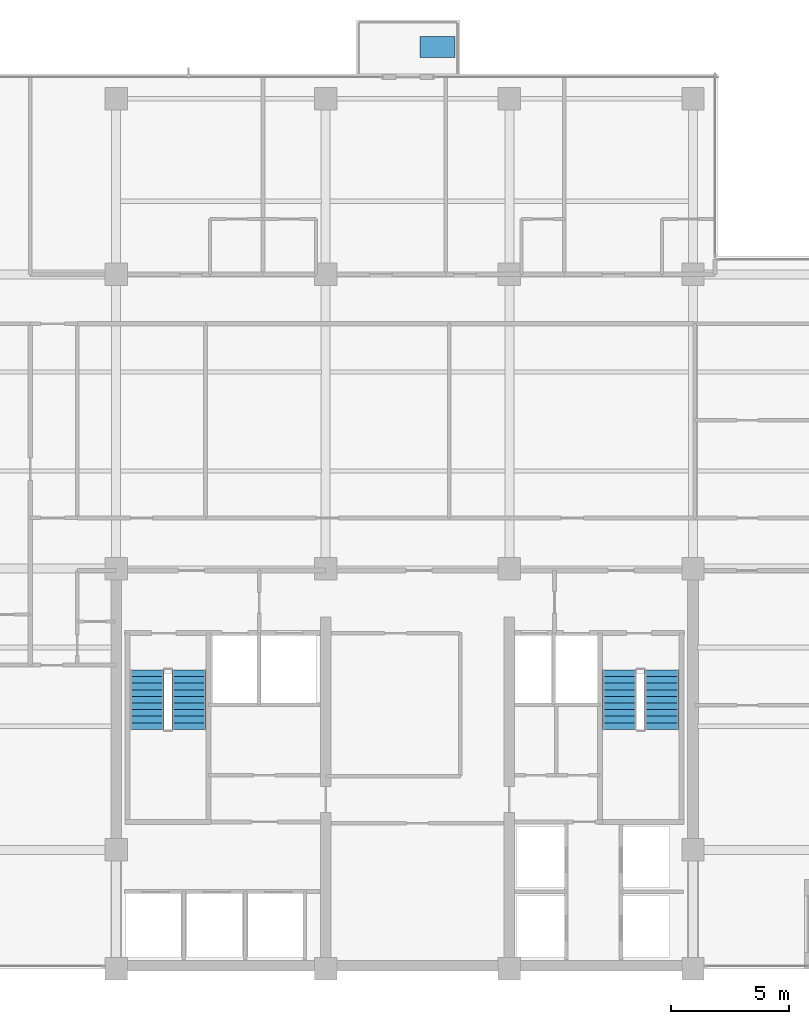
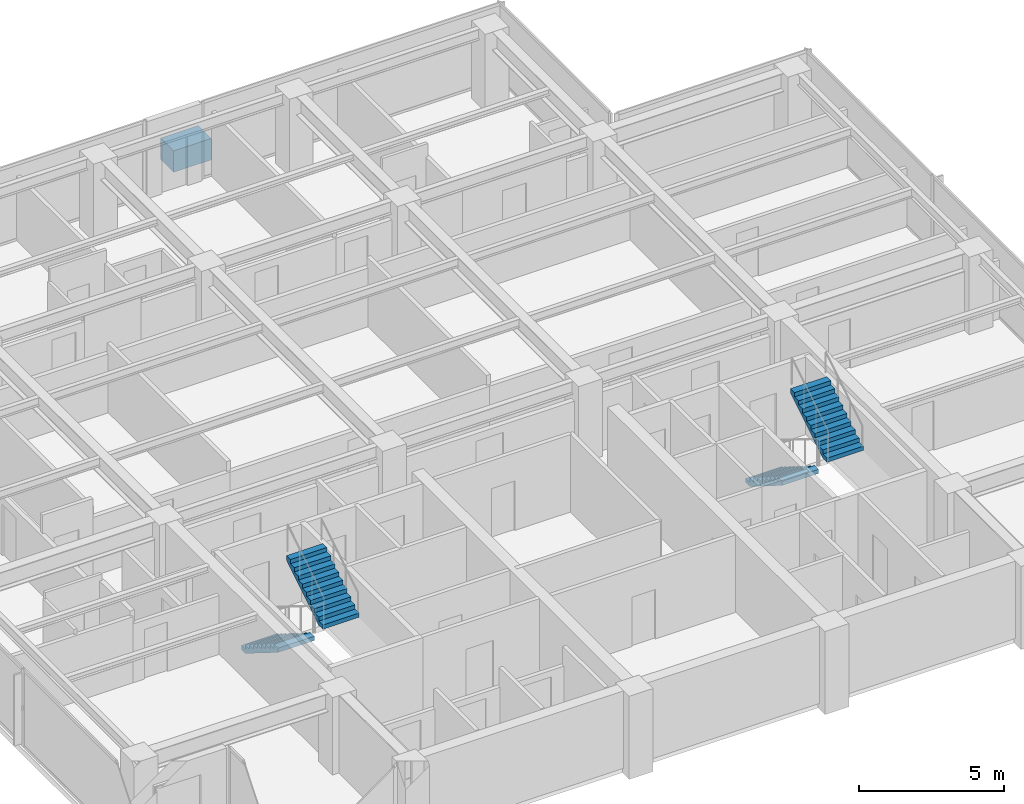
# One storey, part 10 of 15: 4 stair flights, 1 discrete accessory, 2 elements without a shape of their own.
"""IFC4 building model written with IfcOpenShell, lengths in metres."""

from ifc_helpers import new_model, si_unit, direction, frame, origin, place, context, subcontext, project, spatial, polyline, outline, extrude, material, layer, layer_set, type_object, element, aggregate, save


model = new_model("IFC4")

# Units and contexts
model_context = context("Model", 3, precision=1e-05, world=origin(), true_north=direction((0.0, 1.0)))
body_context = subcontext(model_context, "Body", "Model", "MODEL_VIEW")
ifc_project = project(units=[si_unit("LENGTHUNIT", "METRE"), si_unit("AREAUNIT", "SQUARE_METRE"), si_unit("VOLUMEUNIT", "CUBIC_METRE"), si_unit("PLANEANGLEUNIT", "RADIAN"), si_unit("MASSUNIT", "GRAM", prefix="KILO")], contexts=[model_context])

# Site, building, storey
site_placement = place(None, origin())
site = spatial("IfcSite", under=ifc_project, at=site_placement, CompositionType="ELEMENT")
building_placement = place(site_placement, origin())
building = spatial("IfcBuilding", under=site, at=building_placement, Name="Qalmaran Belvedere Hotel", CompositionType="ELEMENT")
storey_placement = place(building_placement, frame((0.0, 0.0, 231.89990234375)))
storey = spatial("IfcBuildingStorey", under=building, at=storey_placement, Name="L59", CompositionType="ELEMENT", Elevation=231.89990234375)

# Stair, stair flights
ifc_material = material(Name="Concrete C40/50", Category="concrete")
stair_type_1 = type_object("IfcStairType", Name="STR-ST-1-1450-R1750", PredefinedType="HALF_TURN_STAIR", material=ifc_material)
stair_1_placement = place(storey_placement, origin())
stair_1 = element("IfcStair", 1, at=stair_1_placement, inside=storey, type_object=stair_type_1, Name="L59 West Core Exit Stair ST-1", PredefinedType="HALF_TURN_STAIR")
ifc_layer_1 = layer(ifc_material, 0.14990234375, Name="Concrete C40/50")
ifc_layer_set_1 = layer_set([ifc_layer_1], Name="Concrete C40/50")
stair_flight_type_1 = type_object("IfcStairFlightType", Name="STF-ST-1-1450-R1750", PredefinedType="STRAIGHT", material=ifc_layer_set_1)
stair_flight_1_placement = place(storey_placement, frame((21.60498046875, 16.18994140625, 0.0), z_axis=(0.0, 0.0, 1.0), x_axis=(0.0, -1.0, 0.0)))
stair_flight_1 = element("IfcStairFlight", 2, at=stair_flight_1_placement, type_object=stair_flight_type_1, Name="ST-1 flight 1", NumberOfRisers=10, NumberOfTreads=9, PredefinedType="STRAIGHT", RiserHeight=0.175, TreadLength=0.28, context=body_context, shape_type="SweptSolid", body=[
    extrude(outline(polyline([(0.0, 0.0), (0.0, 0.175048828125), (0.280029296875, 0.175048828125), (0.280029296875, 0.35009765625), (0.56005859375, 0.35009765625), (0.56005859375, 0.52490234375), (0.840087890625, 0.52490234375), (0.840087890625, 0.699951171875), (1.1201171875, 0.699951171875), (1.1201171875, 0.875), (1.39990234375, 0.875), (1.39990234375, 1.050048828125), (1.679931640625, 1.050048828125), (1.679931640625, 1.22509765625), (1.9599609375, 1.22509765625), (1.9599609375, 1.39990234375), (2.239990234375, 1.39990234375), (2.239990234375, 1.574951171875), (2.52001953125, 1.574951171875), (2.52001953125, 1.75), (2.52001953125, 1.398193359375), (0.28271484375, 0.0), (0.0, 0.0)])), frame((0.0, 0.72509765625, 0.0), z_axis=(0.0, -1.0, 0.0), x_axis=(1.0, 0.0, 0.0)), (0.0, 0.0, 1.0), 1.449951171875),
])
stair_flight_2_placement = place(storey_placement, frame((23.39501953125, 13.669921875, 1.75), z_axis=(0.0, 0.0, 1.0), x_axis=(0.0, 1.0, 0.0)))
stair_flight_2 = element("IfcStairFlight", 3, at=stair_flight_2_placement, type_object=stair_flight_type_1, Name="ST-1 flight 2", NumberOfRisers=10, NumberOfTreads=9, PredefinedType="STRAIGHT", RiserHeight=0.175, TreadLength=0.28, context=body_context, shape_type="SweptSolid", body=[
    extrude(outline(polyline([(0.0, 0.0), (0.0, 0.175048828125), (0.280029296875, 0.175048828125), (0.280029296875, 0.35009765625), (0.56005859375, 0.35009765625), (0.56005859375, 0.52490234375), (0.840087890625, 0.52490234375), (0.840087890625, 0.699951171875), (1.1201171875, 0.699951171875), (1.1201171875, 0.875), (1.39990234375, 0.875), (1.39990234375, 1.050048828125), (1.679931640625, 1.050048828125), (1.679931640625, 1.22509765625), (1.9599609375, 1.22509765625), (1.9599609375, 1.39990234375), (2.239990234375, 1.39990234375), (2.239990234375, 1.574951171875), (2.52001953125, 1.574951171875), (2.52001953125, 1.75), (2.52001953125, 1.398193359375), (0.28271484375, 0.0), (0.0, 0.0)])), frame((0.0, 0.72509765625, 0.0), z_axis=(0.0, -1.0, 0.0), x_axis=(1.0, 0.0, 0.0)), (0.0, 0.0, 1.0), 1.449951171875),
])
aggregate(stair_1, [stair_flight_1, stair_flight_2])

stair_type_2 = type_object("IfcStairType", Name="STR-ST-2-1450-R1750", PredefinedType="HALF_TURN_STAIR", material=ifc_material)
stair_2_placement = place(storey_placement, origin())
stair_2 = element("IfcStair", 4, at=stair_2_placement, inside=storey, type_object=stair_type_2, Name="L59 East Core Exit Stair ST-2", PredefinedType="HALF_TURN_STAIR")
ifc_layer_2 = layer(ifc_material, 0.14990234375, Name="Concrete C40/50")
ifc_layer_set_2 = layer_set([ifc_layer_2], Name="Concrete C40/50")
stair_flight_type_2 = type_object("IfcStairFlightType", Name="STF-ST-2-1450-R1750", PredefinedType="STRAIGHT", material=ifc_layer_set_2)
stair_flight_3_placement = place(storey_placement, frame((41.68505859375, 16.18994140625, 0.0), z_axis=(0.0, 0.0, 1.0), x_axis=(0.0, -1.0, 0.0)))
stair_flight_3 = element("IfcStairFlight", 5, at=stair_flight_3_placement, type_object=stair_flight_type_2, Name="ST-2 flight 1", NumberOfRisers=10, NumberOfTreads=9, PredefinedType="STRAIGHT", RiserHeight=0.175, TreadLength=0.28, context=body_context, shape_type="SweptSolid", body=[
    extrude(outline(polyline([(0.0, 0.0), (0.0, 0.175048828125), (0.280029296875, 0.175048828125), (0.280029296875, 0.35009765625), (0.56005859375, 0.35009765625), (0.56005859375, 0.52490234375), (0.840087890625, 0.52490234375), (0.840087890625, 0.699951171875), (1.1201171875, 0.699951171875), (1.1201171875, 0.875), (1.39990234375, 0.875), (1.39990234375, 1.050048828125), (1.679931640625, 1.050048828125), (1.679931640625, 1.22509765625), (1.9599609375, 1.22509765625), (1.9599609375, 1.39990234375), (2.239990234375, 1.39990234375), (2.239990234375, 1.574951171875), (2.52001953125, 1.574951171875), (2.52001953125, 1.75), (2.52001953125, 1.398193359375), (0.28271484375, 0.0), (0.0, 0.0)])), frame((0.0, 0.72509765625, 0.0), z_axis=(0.0, -1.0, 0.0), x_axis=(1.0, 0.0, 0.0)), (0.0, 0.0, 1.0), 1.449951171875),
])
stair_flight_4_placement = place(storey_placement, frame((43.47509765625, 13.669921875, 1.75), z_axis=(0.0, 0.0, 1.0), x_axis=(0.0, 1.0, 0.0)))
stair_flight_4 = element("IfcStairFlight", 6, at=stair_flight_4_placement, type_object=stair_flight_type_2, Name="ST-2 flight 2", NumberOfRisers=10, NumberOfTreads=9, PredefinedType="STRAIGHT", RiserHeight=0.175, TreadLength=0.28, context=body_context, shape_type="SweptSolid", body=[
    extrude(outline(polyline([(0.0, 0.0), (0.0, 0.175048828125), (0.280029296875, 0.175048828125), (0.280029296875, 0.35009765625), (0.56005859375, 0.35009765625), (0.56005859375, 0.52490234375), (0.840087890625, 0.52490234375), (0.840087890625, 0.699951171875), (1.1201171875, 0.699951171875), (1.1201171875, 0.875), (1.39990234375, 0.875), (1.39990234375, 1.050048828125), (1.679931640625, 1.050048828125), (1.679931640625, 1.22509765625), (1.9599609375, 1.22509765625), (1.9599609375, 1.39990234375), (2.239990234375, 1.39990234375), (2.239990234375, 1.574951171875), (2.52001953125, 1.574951171875), (2.52001953125, 1.75), (2.52001953125, 1.398193359375), (0.28271484375, 0.0), (0.0, 0.0)])), frame((0.0, 0.72509765625, 0.0), z_axis=(0.0, -1.0, 0.0), x_axis=(1.0, 0.0, 0.0)), (0.0, 0.0, 1.0), 1.449951171875),
])
aggregate(stair_2, [stair_flight_3, stair_flight_4])

# Discrete accessory
discrete_accessory_type = type_object("IfcDiscreteAccessoryType", Name="PLN-BAL-1500", PredefinedType="USERDEFINED", material=ifc_material)
discrete_accessory_placement = place(storey_placement, origin())
element("IfcDiscreteAccessory", 7, at=discrete_accessory_placement, inside=storey, type_object=discrete_accessory_type, Name="L59 Sky Tree Planter", ObjectType="PLANTER", PredefinedType="USERDEFINED", context=body_context, shape_type="SweptSolid", body=[
    extrude(outline(polyline([(33.199951171875, 42.199951171875), (34.699951171875, 42.199951171875), (34.699951171875, 43.10009765625), (33.199951171875, 43.10009765625), (33.199951171875, 42.199951171875)])), origin(), (0.0, 0.0, 1.0), 0.900146484375),
])

save(model, "model.ifc")
